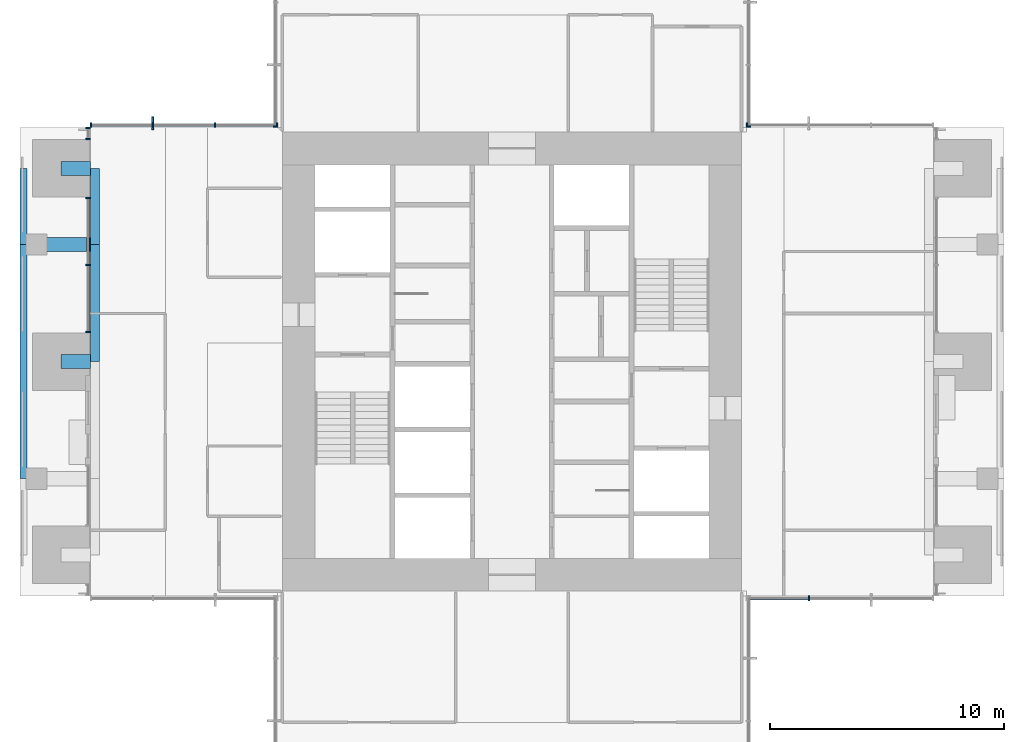
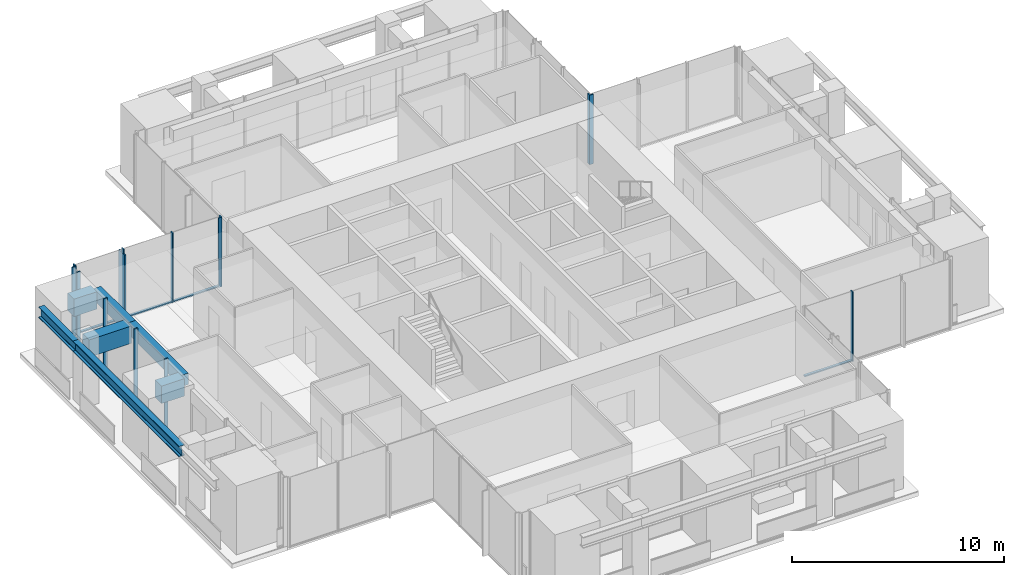
# One storey, part 3 of 17: 20 members, 7 beams, 7 elements without a shape of their own.
"""IFC4 building model written with IfcOpenShell, lengths in metres."""

from ifc_helpers import new_model, si_unit, direction, frame, origin, origin_2d, place, context, subcontext, project, spatial, rectangle, i_section, extrude, material, material_profile, profile_set, type_object, element, aggregate, save


model = new_model("IFC4")

# Units and contexts
model_context = context("Model", 3, precision=1e-05, world=origin(), true_north=direction((0.0, 1.0)))
body_context = subcontext(model_context, "Body", "Model", "MODEL_VIEW")
ifc_project = project(units=[si_unit("LENGTHUNIT", "METRE"), si_unit("AREAUNIT", "SQUARE_METRE"), si_unit("VOLUMEUNIT", "CUBIC_METRE"), si_unit("PLANEANGLEUNIT", "RADIAN"), si_unit("MASSUNIT", "GRAM", prefix="KILO")], contexts=[model_context])

# Site, building, storey
site_placement = place(None, origin())
site = spatial("IfcSite", under=ifc_project, at=site_placement, CompositionType="ELEMENT")
building_placement = place(site_placement, origin())
building = spatial("IfcBuilding", under=site, at=building_placement, Name="Svetlomir Tower", CompositionType="ELEMENT")
storey_placement = place(building_placement, frame((0.0, 0.0, 210.5)))
storey = spatial("IfcBuildingStorey", under=building, at=storey_placement, Name="L50", CompositionType="ELEMENT", Elevation=210.5)

# Curtain wall, member
ifc_material_1 = material(Name="Bronze anodised aluminium curtain wall", Category="aluminium")
curtain_wall_type = type_object("IfcCurtainWallType", Name="CURTAIN WALL CW1 TOWER OFFICE", PredefinedType="NOTDEFINED", material=ifc_material_1)
curtain_wall_1_placement = place(storey_placement, origin())
curtain_wall_1 = element("IfcCurtainWall", 1, at=curtain_wall_1_placement, inside=storey, type_object=curtain_wall_type, Name="Curtain wall CW1 L50", PredefinedType="NOTDEFINED")
ifc_material_2 = material(Name="Bronze anodised aluminium", Category="aluminium")
ifc_material_profile_1 = material_profile(ifc_material_2, rectangle(XDim=0.080078125, YDim=0.550048828125, at=origin_2d()), Name="FIN 80x550")
ifc_profile_set_1 = profile_set([ifc_material_profile_1], Name="Bronze anodised aluminium 6063-T6")
member_type_1 = type_object("IfcMemberType", Name="BRONZE FIN 80x550", PredefinedType="USERDEFINED", material=ifc_profile_set_1)
member_1_placement = place(storey_placement, frame((5.666748046875, 31.175048828125, 0.0), z_axis=(0.0, 0.0, 1.0), x_axis=(1.0, 0.0, 0.0)))
member_1 = element("IfcMember", 2, at=member_1_placement, type_object=member_type_1, Name="Bronze fin L50", ObjectType="FIN", PredefinedType="USERDEFINED", context=body_context, shape_type="SweptSolid", body=[
    extrude(rectangle(XDim=0.080078125, YDim=0.550048828125, at=origin_2d()), origin(), (0.0, 0.0, 1.0), 3.75),
])

curtain_wall_2_placement = place(storey_placement, origin())
curtain_wall_2 = element("IfcCurtainWall", 3, at=curtain_wall_2_placement, inside=storey, type_object=curtain_wall_type, Name="Curtain wall CW1 L50", PredefinedType="NOTDEFINED")
ifc_material_3 = material(Name="Bronze anodised aluminium", Category="aluminium")
ifc_material_profile_2 = material_profile(ifc_material_3, rectangle(XDim=0.06494140625, YDim=0.199951171875, at=origin_2d()), Name="AL 65x200")
ifc_profile_set_2 = profile_set([ifc_material_profile_2], Name="Bronze anodised aluminium 6063-T6")
member_type_2 = type_object("IfcMemberType", Name="CW1 MULLION 65x200", PredefinedType="MULLION", material=ifc_profile_set_2)
member_2_placement = place(storey_placement, frame((33.666748046875, 10.89990234375, 0.0), z_axis=(0.0, 0.0, 1.0), x_axis=(1.0, 0.0, 0.0)))
member_2 = element("IfcMember", 4, at=member_2_placement, type_object=member_type_2, Name="CW1 mullion 2", PredefinedType="MULLION", context=body_context, shape_type="SweptSolid", body=[
    extrude(rectangle(XDim=0.06494140625, YDim=0.199951171875, at=origin_2d()), origin(), (0.0, 0.0, 1.0), 4.0),
])

curtain_wall_3_placement = place(storey_placement, origin())
curtain_wall_3 = element("IfcCurtainWall", 5, at=curtain_wall_3_placement, inside=storey, type_object=curtain_wall_type, Name="Curtain wall CW1 L50", PredefinedType="NOTDEFINED")
member_3_placement = place(storey_placement, frame((31.032470703125, 31.10009765625, 0.0), z_axis=(0.0, 0.0, 1.0), x_axis=(-1.0, 0.0, 0.0)))
member_3 = element("IfcMember", 6, at=member_3_placement, type_object=member_type_2, Name="CW1 mullion 4", PredefinedType="MULLION", context=body_context, shape_type="SweptSolid", body=[
    extrude(rectangle(XDim=0.06494140625, YDim=0.199951171875, at=origin_2d()), origin(), (0.0, 0.0, 1.0), 4.0),
])
aggregate(curtain_wall_3, [member_3])

curtain_wall_4_placement = place(storey_placement, origin())
curtain_wall_4 = element("IfcCurtainWall", 7, at=curtain_wall_4_placement, inside=storey, type_object=curtain_wall_type, Name="Curtain wall CW1 L50", PredefinedType="NOTDEFINED")
member_4_placement = place(storey_placement, frame((31.10009765625, 31.032470703125, 0.0), z_axis=(0.0, 0.0, 1.0), x_axis=(0.0, 1.0, 0.0)))
member_4 = element("IfcMember", 8, at=member_4_placement, type_object=member_type_2, Name="CW1 mullion 1", PredefinedType="MULLION", context=body_context, shape_type="SweptSolid", body=[
    extrude(rectangle(XDim=0.06494140625, YDim=0.199951171875, at=origin_2d()), origin(), (0.0, 0.0, 1.0), 4.0),
])
aggregate(curtain_wall_4, [member_4])

curtain_wall_5_placement = place(storey_placement, origin())
curtain_wall_5 = element("IfcCurtainWall", 9, at=curtain_wall_5_placement, inside=storey, type_object=curtain_wall_type, Name="Curtain wall CW1 L50", PredefinedType="NOTDEFINED")
member_5_placement = place(storey_placement, frame((10.89990234375, 31.032470703125, 0.0), z_axis=(0.0, 0.0, 1.0), x_axis=(0.0, -1.0, 0.0)))
member_5 = element("IfcMember", 10, at=member_5_placement, type_object=member_type_2, Name="CW1 mullion 4", PredefinedType="MULLION", context=body_context, shape_type="SweptSolid", body=[
    extrude(rectangle(XDim=0.06494140625, YDim=0.199951171875, at=origin_2d()), origin(), (0.0, 0.0, 1.0), 4.0),
])
aggregate(curtain_wall_5, [member_5])

# Member
member_6_placement = place(storey_placement, frame((10.967529296875, 31.10009765625, 0.0), z_axis=(0.0, 0.0, 1.0), x_axis=(-1.0, 0.0, 0.0)))
member_6 = element("IfcMember", 11, at=member_6_placement, type_object=member_type_2, Name="CW1 mullion 1", PredefinedType="MULLION", context=body_context, shape_type="SweptSolid", body=[
    extrude(rectangle(XDim=0.06494140625, YDim=0.199951171875, at=origin_2d()), origin(), (0.0, 0.0, 1.0), 4.0),
])

member_7_placement = place(storey_placement, frame((8.333251953125, 31.10009765625, 0.0), z_axis=(0.0, 0.0, 1.0), x_axis=(-1.0, 0.0, 0.0)))
member_7 = element("IfcMember", 12, at=member_7_placement, type_object=member_type_2, Name="CW1 mullion 2", PredefinedType="MULLION", context=body_context, shape_type="SweptSolid", body=[
    extrude(rectangle(XDim=0.06494140625, YDim=0.199951171875, at=origin_2d()), origin(), (0.0, 0.0, 1.0), 4.0),
])

member_8_placement = place(storey_placement, frame((5.666748046875, 31.10009765625, 0.0), z_axis=(0.0, 0.0, 1.0), x_axis=(-1.0, 0.0, 0.0)))
member_8 = element("IfcMember", 13, at=member_8_placement, type_object=member_type_2, Name="CW1 mullion 3", PredefinedType="MULLION", context=body_context, shape_type="SweptSolid", body=[
    extrude(rectangle(XDim=0.06494140625, YDim=0.199951171875, at=origin_2d()), origin(), (0.0, 0.0, 1.0), 4.0),
])

member_9_placement = place(storey_placement, frame((3.032470703125, 31.10009765625, 0.0), z_axis=(0.0, 0.0, 1.0), x_axis=(-1.0, 0.0, 0.0)))
member_9 = element("IfcMember", 14, at=member_9_placement, type_object=member_type_2, Name="CW1 mullion 4", PredefinedType="MULLION", context=body_context, shape_type="SweptSolid", body=[
    extrude(rectangle(XDim=0.06494140625, YDim=0.199951171875, at=origin_2d()), origin(), (0.0, 0.0, 1.0), 4.0),
])

# Curtain wall, members
curtain_wall_6_placement = place(storey_placement, origin())
curtain_wall_6 = element("IfcCurtainWall", 15, at=curtain_wall_6_placement, inside=storey, type_object=curtain_wall_type, Name="Curtain wall CW1 L50", PredefinedType="NOTDEFINED")
member_10_placement = place(storey_placement, frame((2.89990234375, 30.967529296875, 0.0), z_axis=(0.0, 0.0, 1.0), x_axis=(0.0, -1.0, 0.0)))
member_10 = element("IfcMember", 16, at=member_10_placement, type_object=member_type_2, Name="CW1 mullion 1", PredefinedType="MULLION", context=body_context, shape_type="SweptSolid", body=[
    extrude(rectangle(XDim=0.06494140625, YDim=0.199951171875, at=origin_2d()), origin(), (0.0, 0.0, 1.0), 4.0),
])
member_11_placement = place(storey_placement, frame((2.89990234375, 30.507568359375, 0.0), z_axis=(0.0, 0.0, 1.0), x_axis=(0.0, -1.0, 0.0)))
member_11 = element("IfcMember", 17, at=member_11_placement, type_object=member_type_2, Name="CW1 mullion 2", PredefinedType="MULLION", context=body_context, shape_type="SweptSolid", body=[
    extrude(rectangle(XDim=0.06494140625, YDim=0.199951171875, at=origin_2d()), origin(), (0.0, 0.0, 1.0), 4.0),
])
aggregate(curtain_wall_6, [member_10, member_11])

curtain_wall_7_placement = place(storey_placement, origin())
curtain_wall_7 = element("IfcCurtainWall", 18, at=curtain_wall_7_placement, inside=storey, type_object=curtain_wall_type, Name="Curtain wall CW1 L50", PredefinedType="NOTDEFINED")
member_12_placement = place(storey_placement, frame((2.89990234375, 27.992431640625, 0.0), z_axis=(0.0, 0.0, 1.0), x_axis=(0.0, -1.0, 0.0)))
member_12 = element("IfcMember", 19, at=member_12_placement, type_object=member_type_2, Name="CW1 mullion 1", PredefinedType="MULLION", context=body_context, shape_type="SweptSolid", body=[
    extrude(rectangle(XDim=0.06494140625, YDim=0.199951171875, at=origin_2d()), origin(), (0.0, 0.0, 1.0), 4.0),
])
member_13_placement = place(storey_placement, frame((2.89990234375, 25.125, 0.0), z_axis=(0.0, 0.0, 1.0), x_axis=(0.0, -1.0, 0.0)))
member_13 = element("IfcMember", 20, at=member_13_placement, type_object=member_type_2, Name="CW1 mullion 2", PredefinedType="MULLION", context=body_context, shape_type="SweptSolid", body=[
    extrude(rectangle(XDim=0.06494140625, YDim=0.199951171875, at=origin_2d()), origin(), (0.0, 0.0, 1.0), 4.0),
])
member_14_placement = place(storey_placement, frame((2.89990234375, 22.257568359375, 0.0), z_axis=(0.0, 0.0, 1.0), x_axis=(0.0, -1.0, 0.0)))
member_14 = element("IfcMember", 21, at=member_14_placement, type_object=member_type_2, Name="CW1 mullion 3", PredefinedType="MULLION", context=body_context, shape_type="SweptSolid", body=[
    extrude(rectangle(XDim=0.06494140625, YDim=0.199951171875, at=origin_2d()), origin(), (0.0, 0.0, 1.0), 4.0),
])

# Member
ifc_material_4 = material(Name="Bronze anodised aluminium", Category="aluminium")
ifc_material_profile_3 = material_profile(ifc_material_4, rectangle(XDim=0.139892578125, YDim=0.06494140625, at=origin_2d()), Name="AL 140x65")
ifc_profile_set_3 = profile_set([ifc_material_profile_3], Name="Bronze anodised aluminium 6063-T6")
member_type_3 = type_object("IfcMemberType", Name="CW1 TRANSOM 65x140", PredefinedType="USERDEFINED", material=ifc_profile_set_3)
member_15_placement = place(storey_placement, frame((31.06494140625, 10.89990234375, 0.032470703125), z_axis=(1.0, 0.0, 0.0), x_axis=(0.0, 1.0, 0.0)))
member_15 = element("IfcMember", 22, at=member_15_placement, type_object=member_type_3, Name="CW1 transom 1.1", ObjectType="TRANSOM", PredefinedType="USERDEFINED", context=body_context, shape_type="SweptSolid", body=[
    extrude(rectangle(XDim=0.139892578125, YDim=0.06494140625, at=origin_2d()), origin(), (0.0, 0.0, 1.0), 2.5693359375),
])

aggregate(curtain_wall_2, [member_2, member_15])

member_16_placement = place(storey_placement, frame((10.93505859375, 31.10009765625, 0.032470703125), z_axis=(-1.0, 0.0, 0.0), x_axis=(0.0, -1.0, 0.0)))
member_16 = element("IfcMember", 23, at=member_16_placement, type_object=member_type_3, Name="CW1 transom 1.1", ObjectType="TRANSOM", PredefinedType="USERDEFINED", context=body_context, shape_type="SweptSolid", body=[
    extrude(rectangle(XDim=0.139892578125, YDim=0.06494140625, at=origin_2d()), origin(), (0.0, 0.0, 1.0), 2.5693359375),
])

member_17_placement = place(storey_placement, frame((8.30078125, 31.10009765625, 0.032470703125), z_axis=(-1.0, 0.0, 0.0), x_axis=(0.0, -1.0, 0.0)))
member_17 = element("IfcMember", 24, at=member_17_placement, type_object=member_type_3, Name="CW1 transom 2.1", ObjectType="TRANSOM", PredefinedType="USERDEFINED", context=body_context, shape_type="SweptSolid", body=[
    extrude(rectangle(XDim=0.139892578125, YDim=0.06494140625, at=origin_2d()), origin(), (0.0, 0.0, 1.0), 2.6015625),
])

member_18_placement = place(storey_placement, frame((5.63427734375, 31.10009765625, 0.032470703125), z_axis=(-1.0, 0.0, 0.0), x_axis=(0.0, -1.0, 0.0)))
member_18 = element("IfcMember", 25, at=member_18_placement, type_object=member_type_3, Name="CW1 transom 3.1", ObjectType="TRANSOM", PredefinedType="USERDEFINED", context=body_context, shape_type="SweptSolid", body=[
    extrude(rectangle(XDim=0.139892578125, YDim=0.06494140625, at=origin_2d()), origin(), (0.0, 0.0, 1.0), 2.5693359375),
])

aggregate(curtain_wall_1, [member_6, member_7, member_8, member_9, member_16, member_17, member_18, member_1])

member_19_placement = place(storey_placement, frame((2.89990234375, 27.9599609375, 0.032470703125), z_axis=(0.0, -1.0, 0.0), x_axis=(1.0, 0.0, 0.0)))
member_19 = element("IfcMember", 26, at=member_19_placement, type_object=member_type_3, Name="CW1 transom 1.1", ObjectType="TRANSOM", PredefinedType="USERDEFINED", context=body_context, shape_type="SweptSolid", body=[
    extrude(rectangle(XDim=0.139892578125, YDim=0.06494140625, at=origin_2d()), origin(), (0.0, 0.0, 1.0), 2.802490234375),
])

member_20_placement = place(storey_placement, frame((2.89990234375, 25.092529296875, 0.032470703125), z_axis=(0.0, -1.0, 0.0), x_axis=(1.0, 0.0, 0.0)))
member_20 = element("IfcMember", 27, at=member_20_placement, type_object=member_type_3, Name="CW1 transom 2.1", ObjectType="TRANSOM", PredefinedType="USERDEFINED", context=body_context, shape_type="SweptSolid", body=[
    extrude(rectangle(XDim=0.139892578125, YDim=0.06494140625, at=origin_2d()), origin(), (0.0, 0.0, 1.0), 2.802490234375),
])

aggregate(curtain_wall_7, [member_12, member_13, member_14, member_19, member_20])

# Beams
ifc_material_5 = material(Name="Steel S355", Category="steel")
ifc_material_profile_4 = material_profile(ifc_material_5, i_section(OverallWidth=0.304931640625, OverallDepth=0.6201171875, WebThickness=0.02099609375, FlangeThickness=0.0400390625, FilletRadius=0.027099609375, at=origin_2d()), Name="HEM 600")
ifc_profile_set_4 = profile_set([ifc_material_profile_4], Name="Steel S355")
beam_type_1 = type_object("IfcBeamType", Name="EDGE BEAM HEM 600", PredefinedType="SPANDREL", material=ifc_profile_set_4)
beam_1_placement = place(storey_placement, frame((0.152587890625, 16.0, 3.43994140625), z_axis=(0.0, 1.0, 0.0), x_axis=(-1.0, 0.0, 0.0)))
element("IfcBeam", 28, at=beam_1_placement, inside=storey, type_object=beam_type_1, Name="Edge beam 0/16 to 0/26 under L51", PredefinedType="SPANDREL", context=body_context, shape_type="SweptSolid", body=[
    extrude(i_section(OverallWidth=0.304931640625, OverallDepth=0.6201171875, WebThickness=0.02099609375, FlangeThickness=0.0400390625, FilletRadius=0.027099609375, at=origin_2d()), origin(), (0.0, 0.0, 1.0), 10.0),
])
beam_2_placement = place(storey_placement, frame((0.152587890625, 26.0, 3.43994140625), z_axis=(0.0, 1.0, 0.0), x_axis=(-1.0, 0.0, 0.0)))
element("IfcBeam", 29, at=beam_2_placement, inside=storey, type_object=beam_type_1, Name="Edge beam 0/26 to 0/31 under L51", PredefinedType="SPANDREL", context=body_context, shape_type="SweptSolid", body=[
    extrude(i_section(OverallWidth=0.304931640625, OverallDepth=0.6201171875, WebThickness=0.02099609375, FlangeThickness=0.0400390625, FilletRadius=0.027099609375, at=origin_2d()), origin(), (0.0, 0.0, 1.0), 3.25),
])
ifc_material_6 = material(Name="Concrete C60/75", Category="concrete")
ifc_material_profile_5 = material_profile(ifc_material_6, rectangle(XDim=0.39990234375, YDim=0.64990234375, at=origin_2d()), Name="RC 400x650")
ifc_profile_set_5 = profile_set([ifc_material_profile_5], Name="Concrete C60/75")
beam_type_2 = type_object("IfcBeamType", Name="FACADE EDGE BEAM RC 400x650", PredefinedType="BEAM", material=ifc_profile_set_5)
beam_3_placement = place(storey_placement, frame((3.199951171875, 21.0, 3.425048828125), z_axis=(0.0, 1.0, 0.0), x_axis=(-1.0, 0.0, 0.0)))
element("IfcBeam", 30, at=beam_3_placement, inside=storey, type_object=beam_type_2, Name="Facade edge beam W 21 to 26 under L51", PredefinedType="BEAM", context=body_context, shape_type="SweptSolid", body=[
    extrude(rectangle(XDim=0.39990234375, YDim=0.64990234375, at=origin_2d()), origin(), (0.0, 0.0, 1.0), 5.0),
])
beam_4_placement = place(storey_placement, frame((3.199951171875, 26.0, 3.425048828125), z_axis=(0.0, 1.0, 0.0), x_axis=(-1.0, 0.0, 0.0)))
element("IfcBeam", 31, at=beam_4_placement, inside=storey, type_object=beam_type_2, Name="Facade edge beam W 26 to 31 under L51", PredefinedType="BEAM", context=body_context, shape_type="SweptSolid", body=[
    extrude(rectangle(XDim=0.39990234375, YDim=0.64990234375, at=origin_2d()), origin(), (0.0, 0.0, 1.0), 3.25),
])
ifc_material_7 = material(Name="Concrete C60/75", Category="concrete")
ifc_material_profile_6 = material_profile(ifc_material_7, rectangle(XDim=0.60009765625, YDim=1.0, at=origin_2d()), Name="RC 600x1000")
ifc_profile_set_6 = profile_set([ifc_material_profile_6], Name="Concrete C60/75")
beam_type_3 = type_object("IfcBeamType", Name="LOGGIA LINK BEAM RC 600x1000", PredefinedType="BEAM", material=ifc_profile_set_6)
beam_5_placement = place(storey_placement, frame((1.75, 21.0, 3.25), z_axis=(1.0, 0.0, 0.0), x_axis=(0.0, 1.0, 0.0)))
element("IfcBeam", 32, at=beam_5_placement, inside=storey, type_object=beam_type_3, Name="Loggia link beam W 21 under L51", PredefinedType="BEAM", context=body_context, shape_type="SweptSolid", body=[
    extrude(rectangle(XDim=0.60009765625, YDim=1.0, at=origin_2d()), origin(), (0.0, 0.0, 1.0), 1.25),
])
beam_6_placement = place(storey_placement, frame((0.699951171875, 26.0, 3.25), z_axis=(1.0, 0.0, 0.0), x_axis=(0.0, 1.0, 0.0)))
element("IfcBeam", 33, at=beam_6_placement, inside=storey, type_object=beam_type_3, Name="Loggia link beam W 26 under L51", PredefinedType="BEAM", context=body_context, shape_type="SweptSolid", body=[
    extrude(rectangle(XDim=0.60009765625, YDim=1.0, at=origin_2d()), origin(), (0.0, 0.0, 1.0), 2.300048828125),
])
beam_7_placement = place(storey_placement, frame((1.75, 29.25, 3.25), z_axis=(1.0, 0.0, 0.0), x_axis=(0.0, 1.0, 0.0)))
element("IfcBeam", 34, at=beam_7_placement, inside=storey, type_object=beam_type_3, Name="Loggia link beam W 31 under L51", PredefinedType="BEAM", context=body_context, shape_type="SweptSolid", body=[
    extrude(rectangle(XDim=0.60009765625, YDim=1.0, at=origin_2d()), origin(), (0.0, 0.0, 1.0), 1.25),
])

save(model, "model.ifc")
